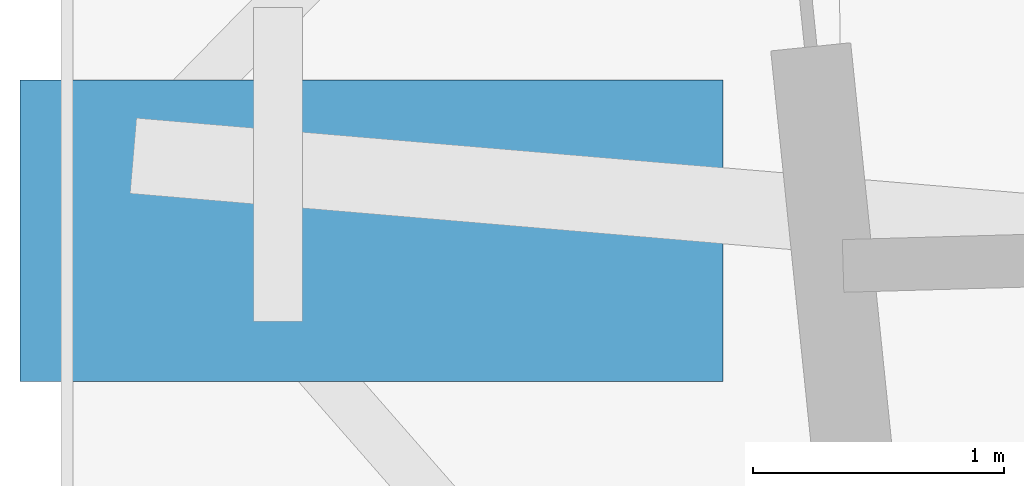
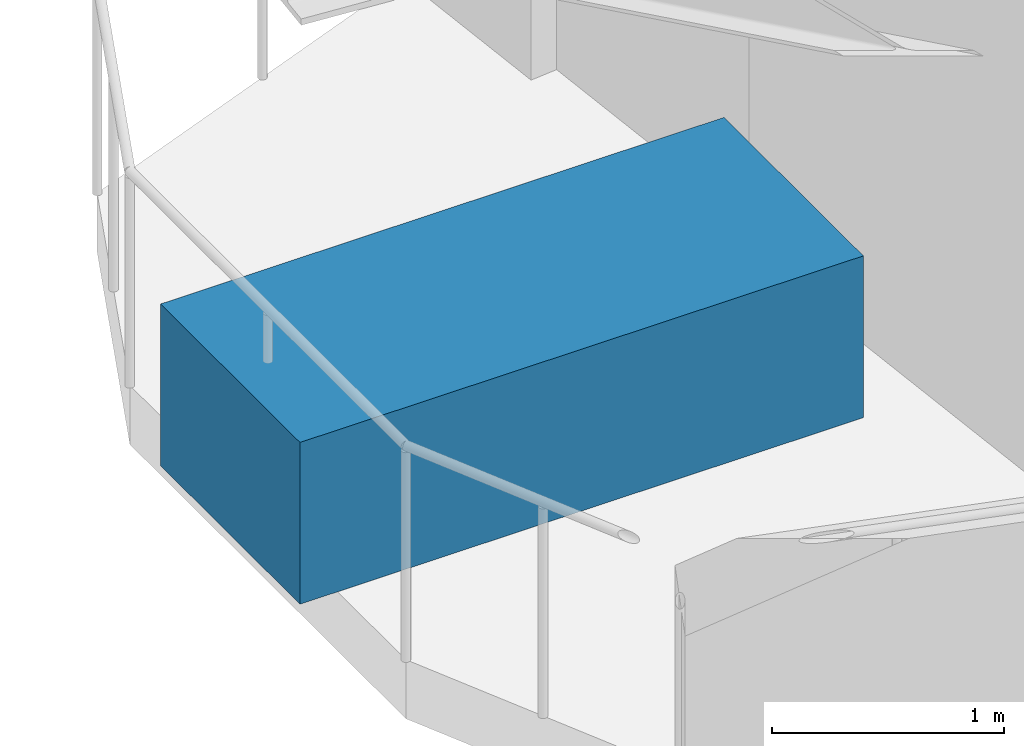
# One storey, part 15 of 17: 1 discrete accessory.
"""IFC4 building model written with IfcOpenShell, lengths in metres."""

import ifcopenshell
import ifcopenshell.guid

model = None  # the IFC model being written
_history = None  # IfcOwnerHistory: only IFC2X3 demands one
_inside = {}  # id of a spatial element -> (the spatial element, [elements in it])
_under = {}  # id of a project, library or spatial element -> (it, [spatial elements below it])
_declared = {}  # id of a project -> (the project, [libraries it declares])
_typed = {}  # id of a type object -> (the type object, [elements of that type])
_made_of = {}  # id of a material, layer set ... -> (it, [elements and type objects made of it])


def new_model(schema):
    """Start an empty IFC model of exactly this schema.

    Asked for "IFC4X3", IfcOpenShell would pick the latest addendum, in which some entities
    have other attributes; the version numbers below select the first issue.
    IFC2X3 requires an IfcOwnerHistory on every rooted entity: one is made here for all.
    """
    global model, _history
    if schema == "IFC4X3":
        model = ifcopenshell.file(schema_version=(4, 3, 0, 0))
    else:
        model = ifcopenshell.file(schema=schema)
    _inside.clear()
    _under.clear()
    _declared.clear()
    _typed.clear()
    _made_of.clear()
    _history = None
    if model.schema == "IFC2X3":
        org = make("IfcOrganization", Name="unknown")
        user = make(
            "IfcPersonAndOrganization",
            ThePerson=make("IfcPerson", FamilyName="unknown"),
            TheOrganization=org,
        )
        app = make(
            "IfcApplication",
            ApplicationDeveloper=org,
            Version="unknown",
            ApplicationFullName="unknown",
            ApplicationIdentifier="unknown",
        )
        _history = make(
            "IfcOwnerHistory",
            OwningUser=user,
            OwningApplication=app,
            ChangeAction="ADDED",
            CreationDate=0,
        )
    return model


def make(cls, **values):
    """One entity of the class cls with the attributes given. An attribute that is None is left unset."""
    return model.create_entity(
        cls, **{name: value for name, value in values.items() if value is not None}
    )


def rooted(cls, **values):
    """An entity with a GlobalId (a new one), such as an element, a storey or a relation."""
    return make(cls, GlobalId=ifcopenshell.guid.new(), OwnerHistory=_history, **values)


def si_unit(unit_type, name, prefix=None):
    """IfcSIUnit, for example si_unit("LENGTHUNIT", "METRE", prefix="MILLI")."""
    return make("IfcSIUnit", UnitType=unit_type, Prefix=prefix, Name=name)


def assignment(units):
    """IfcUnitAssignment: the units of a project."""
    return None if units is None else make("IfcUnitAssignment", Units=units)


def point(xyz):
    """IfcCartesianPoint."""
    return None if xyz is None else make("IfcCartesianPoint", Coordinates=xyz)


def direction(xyz):
    """IfcDirection."""
    return None if xyz is None else make("IfcDirection", DirectionRatios=xyz)


def frame(location, z_axis=None, x_axis=None):
    """IfcAxis2Placement3D, a coordinate frame: its origin and axes. An axis left out is left unset."""
    return make(
        "IfcAxis2Placement3D",
        Location=point(location),
        Axis=direction(z_axis),
        RefDirection=direction(x_axis),
    )


def frame_2d(location, x_axis=None):
    """IfcAxis2Placement2D, a coordinate frame in the plane: its origin and x axis."""
    return make(
        "IfcAxis2Placement2D", Location=point(location), RefDirection=direction(x_axis)
    )


def origin():
    """The frame at (0, 0, 0) with its axes left unset."""
    return frame((0.0, 0.0, 0.0))


def origin_2d():
    """The frame at (0, 0) in the plane with its x axis left unset."""
    return frame_2d((0.0, 0.0))


def place(relative_to, where):
    """IfcLocalPlacement: puts the frame where relative to a parent placement (None: the world)."""
    return make(
        "IfcLocalPlacement", PlacementRelTo=relative_to, RelativePlacement=where
    )


def context(
    kind, dimensions, precision=None, world=None, true_north=None, identifier=None
):
    """IfcGeometricRepresentationContext, for example the 3D "Model" context."""
    return make(
        "IfcGeometricRepresentationContext",
        ContextIdentifier=identifier,
        ContextType=kind,
        CoordinateSpaceDimension=dimensions,
        Precision=precision,
        WorldCoordinateSystem=world,
        TrueNorth=true_north,
    )


def subcontext(parent, identifier, kind, view, scale=None):
    """IfcGeometricRepresentationSubContext, for example "Body" below "Model"."""
    return make(
        "IfcGeometricRepresentationSubContext",
        ContextIdentifier=identifier,
        ContextType=kind,
        ParentContext=parent,
        TargetScale=scale,
        TargetView=view,
    )


def project(units=None, contexts=None):
    """IfcProject with its units and contexts."""
    return rooted(
        "IfcProject",
        Name="project",
        RepresentationContexts=contexts,
        UnitsInContext=assignment(units),
    )


def spatial(cls, under=None, at=None, **own):
    """A site, building, storey or space (cls), placed at a placement, below another one or the project."""
    s = rooted(cls, ObjectPlacement=at, **own)
    if under is not None:
        _under.setdefault(under.id(), (under, []))[1].append(s)
    return s


def profile(cls, at=None, kind="AREA", **sizes):
    """A parametric profile (cls). Its sizes go by their IFC names, for example OverallWidth=200.0."""
    return make(cls, ProfileType=kind, Position=at, **sizes)


def rectangle(**sizes):
    """IfcRectangleProfileDef."""
    return profile("IfcRectangleProfileDef", **sizes)


def extrude(swept, where, along, depth):
    """IfcExtrudedAreaSolid: the profile swept, set in the frame where, extruded along a direction by depth."""
    return make(
        "IfcExtrudedAreaSolid",
        SweptArea=swept,
        Position=where,
        ExtrudedDirection=direction(along),
        Depth=depth,
    )


def shape(context_of_items, identifier, shape_type, items):
    """IfcShapeRepresentation: the items that make up one representation, for example the "Body"."""
    return make(
        "IfcShapeRepresentation",
        ContextOfItems=context_of_items,
        RepresentationIdentifier=identifier,
        RepresentationType=shape_type,
        Items=items,
    )


def material(Name=None, Category=None):
    """IfcMaterial."""
    return make("IfcMaterial", Name=Name, Category=Category)


def made_of(thing, what):
    """Note that an element or type object is made of a material, layer set ...; save() writes the relation."""
    if what is not None:
        _made_of.setdefault(what.id(), (what, []))[1].append(thing)
    return thing


def type_object(cls, material=None, **own):
    """A type object (cls), such as IfcWallType, which elements share."""
    return made_of(rooted(cls, **own), material)


def element(
    cls,
    number,
    at=None,
    inside=None,
    cuts=None,
    type_object=None,
    material=None,
    context=None,
    identifier="Body",
    shape_type=None,
    held_by="IfcProductDefinitionShape",
    body=None,
    shapes=None,
    **own,
):
    """One element of the class cls, such as IfcWall. Its Tag is "e" and its number.

    at: its placement. inside: the storey or other place that contains it. cuts: it is an
    opening in that element (IfcRelVoidsElement). A single representation is given by context,
    identifier, shape_type and body (its items); several are given by shapes. held_by: the class
    of the entity that holds the representations. save() writes the other relations.
    """
    e = rooted(cls, Tag="e%d" % number, ObjectPlacement=at, **own)
    if body is not None:
        shapes = [shape(context, identifier, shape_type, body)]
    if shapes is not None:
        e.Representation = make(held_by, Representations=shapes)
    if inside is not None:
        _inside.setdefault(inside.id(), (inside, []))[1].append(e)
    if cuts is not None:
        rooted(
            "IfcRelVoidsElement", RelatingBuildingElement=cuts, RelatedOpeningElement=e
        )
    if type_object is not None:
        _typed.setdefault(type_object.id(), (type_object, []))[1].append(e)
    return made_of(e, material)


def aggregate(whole, parts):
    """IfcRelAggregates: a whole, such as a stair, and the parts it consists of."""
    return rooted("IfcRelAggregates", RelatingObject=whole, RelatedObjects=parts)


def save(model, path):
    """Write the relations noted so far, then the file.

    IfcRelAggregates (storeys below a building ...), IfcRelContainedInSpatialStructure (elements
    in a storey), IfcRelDefinesByType, IfcRelAssociatesMaterial and IfcRelDeclares: one each for
    every whole, place, type object, material and project.
    """
    for whole, parts in _under.values():
        aggregate(whole, parts)
    for where, things in _inside.values():
        rooted(
            "IfcRelContainedInSpatialStructure",
            RelatedElements=things,
            RelatingStructure=where,
        )
    for kind, things in _typed.values():
        rooted("IfcRelDefinesByType", RelatedObjects=things, RelatingType=kind)
    for what, things in _made_of.values():
        rooted("IfcRelAssociatesMaterial", RelatedObjects=things, RelatingMaterial=what)
    for by, libraries in _declared.values():
        rooted("IfcRelDeclares", RelatingContext=by, RelatedDefinitions=libraries)
    model.write(path)


model = new_model("IFC4")

# Units and contexts
model_context = context("Model", 3, precision=1e-05, world=origin(), true_north=direction((0.0, 1.0)))
body_context = subcontext(model_context, "Body", "Model", "MODEL_VIEW")
ifc_project = project(units=[si_unit("LENGTHUNIT", "METRE"), si_unit("AREAUNIT", "SQUARE_METRE"), si_unit("VOLUMEUNIT", "CUBIC_METRE"), si_unit("PLANEANGLEUNIT", "RADIAN"), si_unit("MASSUNIT", "GRAM", prefix="KILO")], contexts=[model_context])

# Site, building, storey
site_placement = place(None, origin())
site = spatial("IfcSite", under=ifc_project, at=site_placement, CompositionType="ELEMENT")
building_placement = place(site_placement, origin())
building = spatial("IfcBuilding", under=site, at=building_placement, Name="Solvirekh Grand Hotel", CompositionType="ELEMENT")
storey_placement = place(building_placement, frame((0.0, 0.0, 191.199951171875)))
storey = spatial("IfcBuildingStorey", under=building, at=storey_placement, Name="L49", CompositionType="ELEMENT", Elevation=191.199951171875)

# Discrete accessory
ifc_material = material(Name="Precast concrete C45/55", Category="concrete")
discrete_accessory_type = type_object("IfcDiscreteAccessoryType", Name="Acc_PlanterBox", PredefinedType="USERDEFINED", material=ifc_material)
discrete_accessory_placement = place(storey_placement, frame((-20.031982421875, 0.139892578125, 0.0), z_axis=(0.0, 0.0, 1.0), x_axis=(0.0, 1.0, 0.0)))
element("IfcDiscreteAccessory", 1, at=discrete_accessory_placement, inside=storey, type_object=discrete_accessory_type, Name="L49 horn sky-garden tree planter", ObjectType="PLANTER", PredefinedType="USERDEFINED", context=body_context, shape_type="SweptSolid", body=[
    extrude(rectangle(XDim=1.199951171875, YDim=2.800048828125, at=origin_2d()), origin(), (0.0, 0.0, 1.0), 0.85009765625),
])

save(model, "model.ifc")
